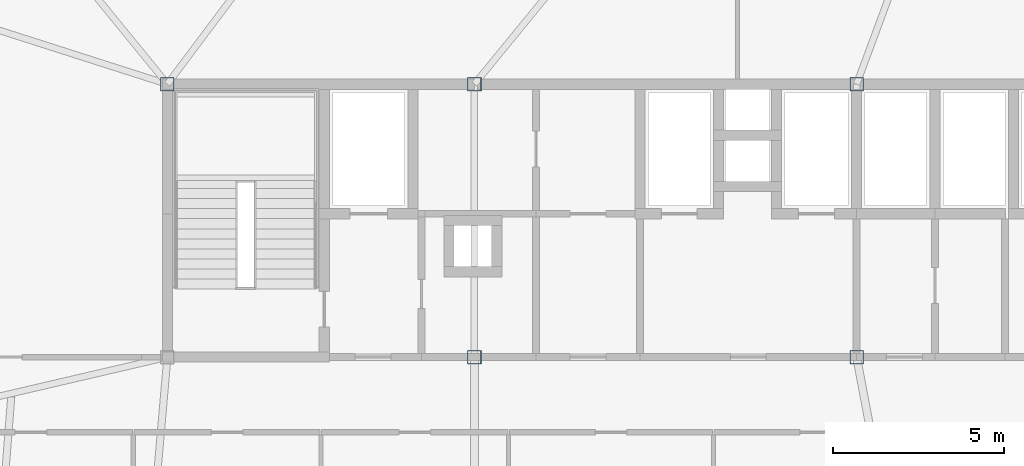
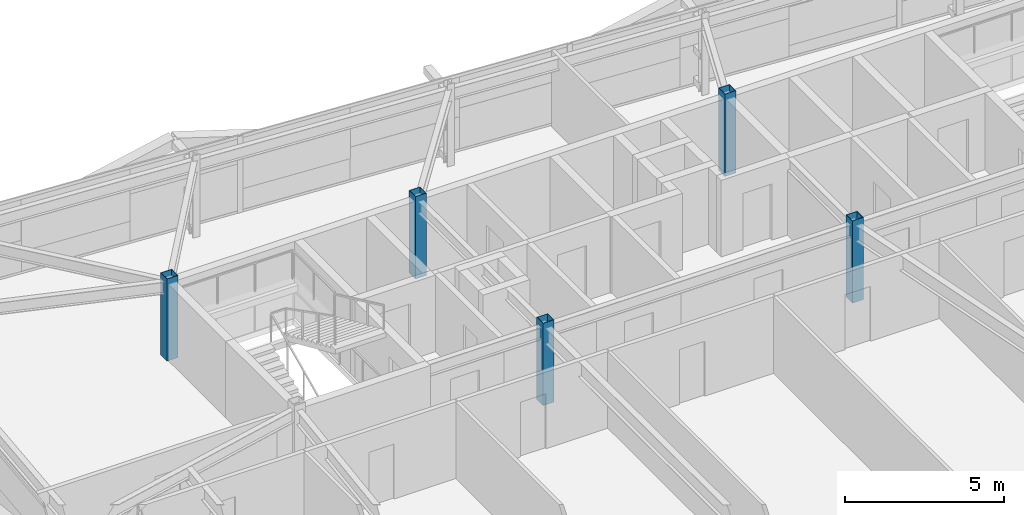
# One storey, part 2 of 39: 5 columns.
"""IFC4 building model written with IfcOpenShell, lengths in metres."""

import ifcopenshell
import ifcopenshell.guid

model = None  # the IFC model being written
_history = None  # IfcOwnerHistory: only IFC2X3 demands one
_inside = {}  # id of a spatial element -> (the spatial element, [elements in it])
_under = {}  # id of a project, library or spatial element -> (it, [spatial elements below it])
_declared = {}  # id of a project -> (the project, [libraries it declares])
_typed = {}  # id of a type object -> (the type object, [elements of that type])
_made_of = {}  # id of a material, layer set ... -> (it, [elements and type objects made of it])


def new_model(schema):
    """Start an empty IFC model of exactly this schema.

    Asked for "IFC4X3", IfcOpenShell would pick the latest addendum, in which some entities
    have other attributes; the version numbers below select the first issue.
    IFC2X3 requires an IfcOwnerHistory on every rooted entity: one is made here for all.
    """
    global model, _history
    if schema == "IFC4X3":
        model = ifcopenshell.file(schema_version=(4, 3, 0, 0))
    else:
        model = ifcopenshell.file(schema=schema)
    _inside.clear()
    _under.clear()
    _declared.clear()
    _typed.clear()
    _made_of.clear()
    _history = None
    if model.schema == "IFC2X3":
        org = make("IfcOrganization", Name="unknown")
        user = make(
            "IfcPersonAndOrganization",
            ThePerson=make("IfcPerson", FamilyName="unknown"),
            TheOrganization=org,
        )
        app = make(
            "IfcApplication",
            ApplicationDeveloper=org,
            Version="unknown",
            ApplicationFullName="unknown",
            ApplicationIdentifier="unknown",
        )
        _history = make(
            "IfcOwnerHistory",
            OwningUser=user,
            OwningApplication=app,
            ChangeAction="ADDED",
            CreationDate=0,
        )
    return model


def make(cls, **values):
    """One entity of the class cls with the attributes given. An attribute that is None is left unset."""
    return model.create_entity(
        cls, **{name: value for name, value in values.items() if value is not None}
    )


def rooted(cls, **values):
    """An entity with a GlobalId (a new one), such as an element, a storey or a relation."""
    return make(cls, GlobalId=ifcopenshell.guid.new(), OwnerHistory=_history, **values)


def si_unit(unit_type, name, prefix=None):
    """IfcSIUnit, for example si_unit("LENGTHUNIT", "METRE", prefix="MILLI")."""
    return make("IfcSIUnit", UnitType=unit_type, Prefix=prefix, Name=name)


def assignment(units):
    """IfcUnitAssignment: the units of a project."""
    return None if units is None else make("IfcUnitAssignment", Units=units)


def point(xyz):
    """IfcCartesianPoint."""
    return None if xyz is None else make("IfcCartesianPoint", Coordinates=xyz)


def direction(xyz):
    """IfcDirection."""
    return None if xyz is None else make("IfcDirection", DirectionRatios=xyz)


def frame(location, z_axis=None, x_axis=None):
    """IfcAxis2Placement3D, a coordinate frame: its origin and axes. An axis left out is left unset."""
    return make(
        "IfcAxis2Placement3D",
        Location=point(location),
        Axis=direction(z_axis),
        RefDirection=direction(x_axis),
    )


def frame_2d(location, x_axis=None):
    """IfcAxis2Placement2D, a coordinate frame in the plane: its origin and x axis."""
    return make(
        "IfcAxis2Placement2D", Location=point(location), RefDirection=direction(x_axis)
    )


def origin():
    """The frame at (0, 0, 0) with its axes left unset."""
    return frame((0.0, 0.0, 0.0))


def origin_2d():
    """The frame at (0, 0) in the plane with its x axis left unset."""
    return frame_2d((0.0, 0.0))


def place(relative_to, where):
    """IfcLocalPlacement: puts the frame where relative to a parent placement (None: the world)."""
    return make(
        "IfcLocalPlacement", PlacementRelTo=relative_to, RelativePlacement=where
    )


def context(
    kind, dimensions, precision=None, world=None, true_north=None, identifier=None
):
    """IfcGeometricRepresentationContext, for example the 3D "Model" context."""
    return make(
        "IfcGeometricRepresentationContext",
        ContextIdentifier=identifier,
        ContextType=kind,
        CoordinateSpaceDimension=dimensions,
        Precision=precision,
        WorldCoordinateSystem=world,
        TrueNorth=true_north,
    )


def subcontext(parent, identifier, kind, view, scale=None):
    """IfcGeometricRepresentationSubContext, for example "Body" below "Model"."""
    return make(
        "IfcGeometricRepresentationSubContext",
        ContextIdentifier=identifier,
        ContextType=kind,
        ParentContext=parent,
        TargetScale=scale,
        TargetView=view,
    )


def project(units=None, contexts=None):
    """IfcProject with its units and contexts."""
    return rooted(
        "IfcProject",
        Name="project",
        RepresentationContexts=contexts,
        UnitsInContext=assignment(units),
    )


def spatial(cls, under=None, at=None, **own):
    """A site, building, storey or space (cls), placed at a placement, below another one or the project."""
    s = rooted(cls, ObjectPlacement=at, **own)
    if under is not None:
        _under.setdefault(under.id(), (under, []))[1].append(s)
    return s


def profile(cls, at=None, kind="AREA", **sizes):
    """A parametric profile (cls). Its sizes go by their IFC names, for example OverallWidth=200.0."""
    return make(cls, ProfileType=kind, Position=at, **sizes)


def hollow_rectangle(**sizes):
    """IfcRectangleHollowProfileDef."""
    return profile("IfcRectangleHollowProfileDef", **sizes)


def extrude(swept, where, along, depth):
    """IfcExtrudedAreaSolid: the profile swept, set in the frame where, extruded along a direction by depth."""
    return make(
        "IfcExtrudedAreaSolid",
        SweptArea=swept,
        Position=where,
        ExtrudedDirection=direction(along),
        Depth=depth,
    )


def shape(context_of_items, identifier, shape_type, items):
    """IfcShapeRepresentation: the items that make up one representation, for example the "Body"."""
    return make(
        "IfcShapeRepresentation",
        ContextOfItems=context_of_items,
        RepresentationIdentifier=identifier,
        RepresentationType=shape_type,
        Items=items,
    )


def source(mapping_origin, context_of_items, identifier, shape_type, items):
    """IfcRepresentationMap: a shape defined once, which mapped items show again and again."""
    return make(
        "IfcRepresentationMap",
        MappingOrigin=mapping_origin,
        MappedRepresentation=shape(context_of_items, identifier, shape_type, items),
    )


def transform(
    local_origin,
    x_axis=None,
    y_axis=None,
    z_axis=None,
    scale=None,
    scale2=None,
    scale3=None,
    uniform=True,
):
    """IfcCartesianTransformationOperator3D, or its non-uniform kind. x_axis, y_axis, z_axis: its Axis1, 2, 3."""
    if uniform:
        return make(
            "IfcCartesianTransformationOperator3D",
            Axis1=direction(x_axis),
            Axis2=direction(y_axis),
            LocalOrigin=point(local_origin),
            Scale=scale,
            Axis3=direction(z_axis),
        )
    return make(
        "IfcCartesianTransformationOperator3DnonUniform",
        Axis1=direction(x_axis),
        Axis2=direction(y_axis),
        LocalOrigin=point(local_origin),
        Scale=scale,
        Axis3=direction(z_axis),
        Scale2=scale2,
        Scale3=scale3,
    )


def mapped(mapping_source, mapping_target):
    """IfcMappedItem: shows the shape of a source again, moved by a transform."""
    return make(
        "IfcMappedItem", MappingSource=mapping_source, MappingTarget=mapping_target
    )


def material(Name=None, Category=None):
    """IfcMaterial."""
    return make("IfcMaterial", Name=Name, Category=Category)


def material_profile(
    of_material, cross_section, Name=None, Category=None, Priority=None
):
    """IfcMaterialProfile: a cross section and its material."""
    return make(
        "IfcMaterialProfile",
        Name=Name,
        Material=of_material,
        Profile=cross_section,
        Priority=Priority,
        Category=Category,
    )


def profile_set(profiles, Name=None, composite=None):
    """IfcMaterialProfileSet."""
    return make(
        "IfcMaterialProfileSet",
        Name=Name,
        MaterialProfiles=profiles,
        CompositeProfile=composite,
    )


def made_of(thing, what):
    """Note that an element or type object is made of a material, layer set ...; save() writes the relation."""
    if what is not None:
        _made_of.setdefault(what.id(), (what, []))[1].append(thing)
    return thing


def type_object(cls, material=None, **own):
    """A type object (cls), such as IfcWallType, which elements share."""
    return made_of(rooted(cls, **own), material)


def element(
    cls,
    number,
    at=None,
    inside=None,
    cuts=None,
    type_object=None,
    material=None,
    context=None,
    identifier="Body",
    shape_type=None,
    held_by="IfcProductDefinitionShape",
    body=None,
    shapes=None,
    **own,
):
    """One element of the class cls, such as IfcWall. Its Tag is "e" and its number.

    at: its placement. inside: the storey or other place that contains it. cuts: it is an
    opening in that element (IfcRelVoidsElement). A single representation is given by context,
    identifier, shape_type and body (its items); several are given by shapes. held_by: the class
    of the entity that holds the representations. save() writes the other relations.
    """
    e = rooted(cls, Tag="e%d" % number, ObjectPlacement=at, **own)
    if body is not None:
        shapes = [shape(context, identifier, shape_type, body)]
    if shapes is not None:
        e.Representation = make(held_by, Representations=shapes)
    if inside is not None:
        _inside.setdefault(inside.id(), (inside, []))[1].append(e)
    if cuts is not None:
        rooted(
            "IfcRelVoidsElement", RelatingBuildingElement=cuts, RelatedOpeningElement=e
        )
    if type_object is not None:
        _typed.setdefault(type_object.id(), (type_object, []))[1].append(e)
    return made_of(e, material)


def aggregate(whole, parts):
    """IfcRelAggregates: a whole, such as a stair, and the parts it consists of."""
    return rooted("IfcRelAggregates", RelatingObject=whole, RelatedObjects=parts)


def save(model, path):
    """Write the relations noted so far, then the file.

    IfcRelAggregates (storeys below a building ...), IfcRelContainedInSpatialStructure (elements
    in a storey), IfcRelDefinesByType, IfcRelAssociatesMaterial and IfcRelDeclares: one each for
    every whole, place, type object, material and project.
    """
    for whole, parts in _under.values():
        aggregate(whole, parts)
    for where, things in _inside.values():
        rooted(
            "IfcRelContainedInSpatialStructure",
            RelatedElements=things,
            RelatingStructure=where,
        )
    for kind, things in _typed.values():
        rooted("IfcRelDefinesByType", RelatedObjects=things, RelatingType=kind)
    for what, things in _made_of.values():
        rooted("IfcRelAssociatesMaterial", RelatedObjects=things, RelatingMaterial=what)
    for by, libraries in _declared.values():
        rooted("IfcRelDeclares", RelatingContext=by, RelatedDefinitions=libraries)
    model.write(path)


model = new_model("IFC4")

# Units and contexts
model_context = context("Model", 3, precision=1e-05, world=origin(), true_north=direction((0.0, 1.0)))
body_context = subcontext(model_context, "Body", "Model", "MODEL_VIEW")
ifc_project = project(units=[si_unit("LENGTHUNIT", "METRE"), si_unit("AREAUNIT", "SQUARE_METRE"), si_unit("VOLUMEUNIT", "CUBIC_METRE"), si_unit("PLANEANGLEUNIT", "RADIAN"), si_unit("MASSUNIT", "GRAM", prefix="KILO")], contexts=[model_context])

# Site, building, storey
site_placement = place(None, origin())
site = spatial("IfcSite", under=ifc_project, at=site_placement, CompositionType="ELEMENT")
building_placement = place(site_placement, origin())
building = spatial("IfcBuilding", under=site, at=building_placement, Name="Taldren Reach Tower", CompositionType="ELEMENT")
storey_placement = place(building_placement, frame((0.0, 0.0, 120.39990234375)))
storey = spatial("IfcBuildingStorey", under=building, at=storey_placement, Name="L36", CompositionType="ELEMENT", Elevation=120.39990234375)

# Columns
ifc_material = material(Name="Steel Gr 450 (C450L0)", Category="steel")
ifc_material_profile = material_profile(ifc_material, hollow_rectangle(XDim=0.39990234375, YDim=0.39990234375, WallThickness=0.01611328125, at=origin_2d()), Name="400x400x16.0SHS")
ifc_profile_set = profile_set([ifc_material_profile], Name="Steel Gr 450 (C450L0)")
column_type = type_object("IfcColumnType", Name="COL-SHS400", PredefinedType="COLUMN", material=ifc_profile_set)
shared_shape = source(origin(), body_context, "Body", "SweptSolid", [
    extrude(hollow_rectangle(XDim=0.39990234375, YDim=0.39990234375, WallThickness=0.01611328125, at=origin_2d()), origin(), (0.0, 0.0, 1.0), 3.150146484375),
])
for number, where, z_axis, x_axis, name in (
    (1, (28.0, 24.0, 0.0), (0.0, 0.0, 1.0), (1.0, 0.0, 0.0), "Mega column MC-C2 L36"),
    (2, (39.199951171875, 24.0, 0.0), (0.0, 0.0, 1.0), (1.0, 0.0, 0.0), "Mega column MC-C3 L36"),
    (3, (19.0, 32.0, 0.0), (0.0, 0.0, 1.0), (1.0, 0.0, 0.0), "Mega column MC-C5 L36"),
    (4, (28.0, 32.0, 0.0), (0.0, 0.0, 1.0), (1.0, 0.0, 0.0), "Mega column MC-C6 L36"),
    (5, (39.199951171875, 32.0, 0.0), (0.0, 0.0, 1.0), (1.0, 0.0, 0.0), "Mega column MC-C7 L36"),
):
    element("IfcColumn", number, at=place(storey_placement, frame(where, z_axis=z_axis, x_axis=x_axis)), inside=storey, type_object=column_type, Name=name, PredefinedType="COLUMN", context=body_context, shape_type="MappedRepresentation", body=[
        mapped(shared_shape, transform((0.0, 0.0, 0.0), scale=1.0)),
    ])

save(model, "model.ifc")
